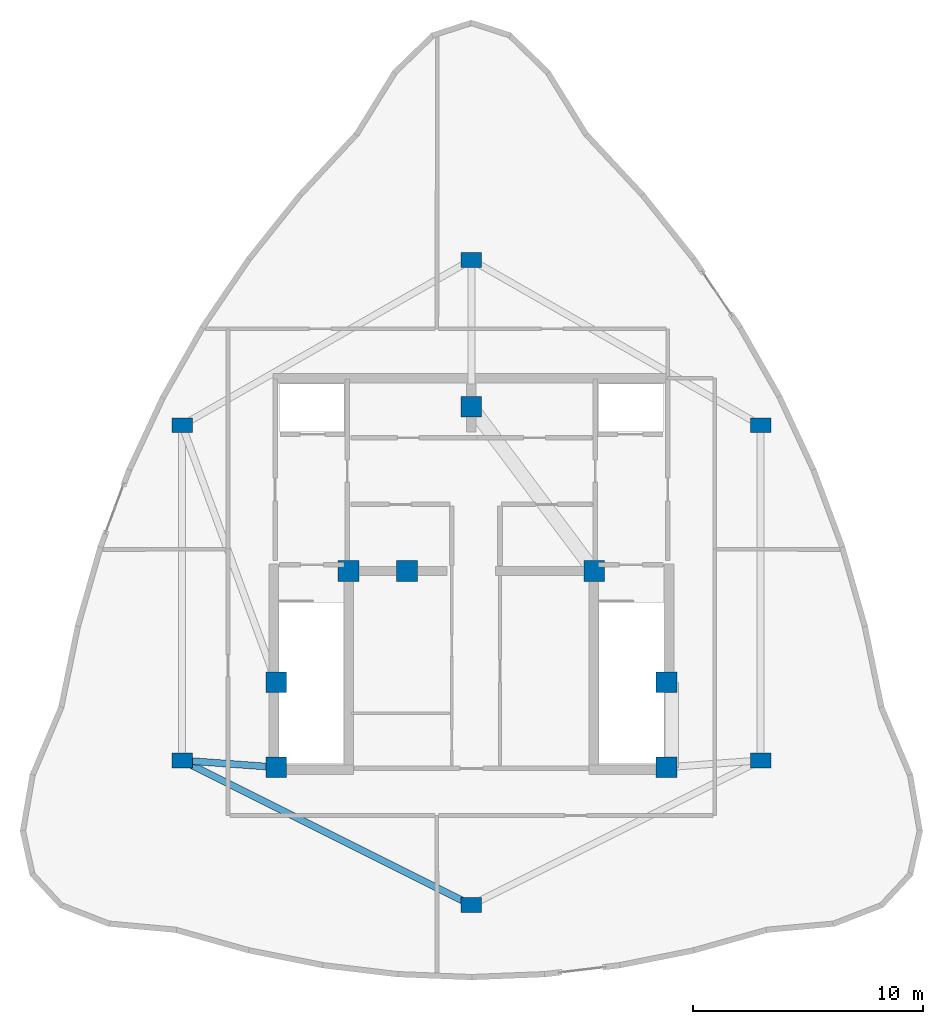
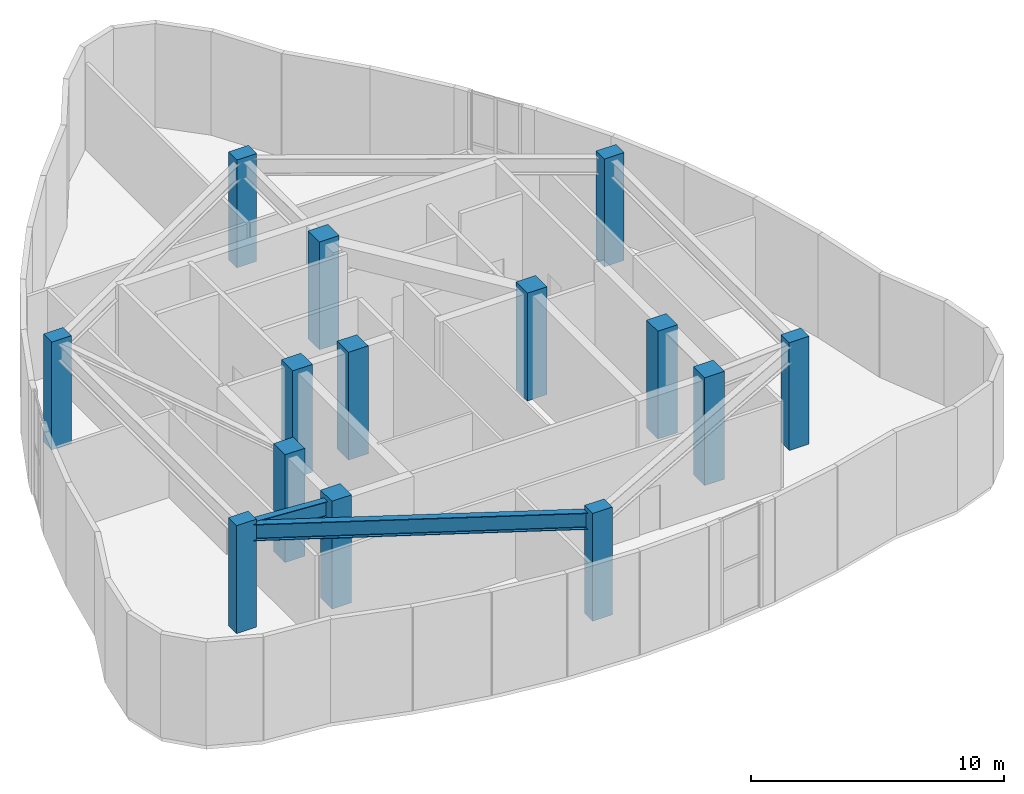
# One storey, part 1 of 12: 14 columns, 2 beams.
"""IFC4 building model written with IfcOpenShell, lengths in metres."""

from ifc_helpers import new_model, si_unit, direction, frame, origin, origin_2d, place, context, subcontext, project, spatial, rectangle, i_section, extrude, material, material_profile, profile_set, type_object, element, save


model = new_model("IFC4")

# Units and contexts
model_context = context("Model", 3, precision=1e-05, world=origin(), true_north=direction((0.0, 1.0)))
body_context = subcontext(model_context, "Body", "Model", "MODEL_VIEW")
ifc_project = project(units=[si_unit("LENGTHUNIT", "METRE"), si_unit("AREAUNIT", "SQUARE_METRE"), si_unit("VOLUMEUNIT", "CUBIC_METRE"), si_unit("PLANEANGLEUNIT", "RADIAN"), si_unit("MASSUNIT", "GRAM", prefix="KILO")], contexts=[model_context])

# Site, building, storey
site_placement = place(None, origin())
site = spatial("IfcSite", under=ifc_project, at=site_placement, CompositionType="ELEMENT")
building_placement = place(site_placement, origin())
building = spatial("IfcBuilding", under=site, at=building_placement, Name="Miruveldt Soraemaru", CompositionType="ELEMENT")
storey_placement = place(building_placement, frame((0.0, 0.0, 312.800048828125)))
storey = spatial("IfcBuildingStorey", under=building, at=storey_placement, Name="L82", CompositionType="ELEMENT", Elevation=312.800048828125)

# Columns
ifc_material_1 = material(Name="Concrete C50/60 (50 MPa)", Category="concrete")
ifc_material_profile_1 = material_profile(ifc_material_1, rectangle(XDim=0.89990234375, YDim=0.89990234375, at=origin_2d()), Name="Concrete C50/60 (50 MPa)", Category="concrete")
ifc_profile_set_1 = profile_set([ifc_material_profile_1], Name="Concrete C50/60 (50 MPa)")
column_type_1 = type_object("IfcColumnType", Name="COL-CORE-900", PredefinedType="COLUMN", material=ifc_profile_set_1)
for number, where, z_axis, x_axis, name in (
    (1, (35.5, 35.5, 0.0), (0.0, 0.0, 1.0), (1.0, 0.0, 0.0), "L82 Structural Column CC1"),
    (2, (38.64990234375, 44.050048828125, 0.0), (0.0, 0.0, 1.0), (1.0, 0.0, 0.0), "L82 Structural Column CC2"),
    (3, (52.5, 35.5, 0.0), (0.0, 0.0, 1.0), (1.0, 0.0, 0.0), "L82 Structural Column CC3"),
    (4, (52.5, 39.199951171875, 0.0), (0.0, 0.0, 1.0), (1.0, 0.0, 0.0), "L82 Structural Column CC4"),
    (5, (49.35009765625, 44.050048828125, 0.0), (0.0, 0.0, 1.0), (1.0, 0.0, 0.0), "L82 Structural Column CC5"),
    (6, (44.0, 51.199951171875, 0.0), (0.0, 0.0, 1.0), (1.0, 0.0, 0.0), "L82 Structural Column CC6"),
    (7, (35.5, 39.199951171875, 0.0), (0.0, 0.0, 1.0), (1.0, 0.0, 0.0), "L82 Structural Column CC7"),
    (8, (41.199951171875, 44.050048828125, 0.0), (0.0, 0.0, 1.0), (1.0, 0.0, 0.0), "L82 Structural Column CC8"),
):
    element("IfcColumn", number, at=place(storey_placement, frame(where, z_axis=z_axis, x_axis=x_axis)), inside=storey, type_object=column_type_1, Name=name, PredefinedType="COLUMN", context=body_context, shape_type="SweptSolid", body=[
        extrude(rectangle(XDim=0.89990234375, YDim=0.89990234375, at=origin_2d()), origin(), (0.0, 0.0, 1.0), 5.199951171875),
    ])
ifc_material_profile_2 = material_profile(ifc_material_1, rectangle(XDim=0.89990234375, YDim=0.64990234375, at=origin_2d()), Name="Concrete C50/60 (50 MPa)", Category="concrete")
ifc_profile_set_2 = profile_set([ifc_material_profile_2], Name="Concrete C50/60 (50 MPa)")
column_type_2 = type_object("IfcColumnType", Name="COL-TW-Z4", PredefinedType="COLUMN", material=ifc_profile_set_2)
for number, where, z_axis, x_axis, name in (
    (9, (44.0, 57.60009765625, 0.0), (0.0, 0.0, 1.0), (1.0, 0.0, 0.0), "L82 Structural Column IR01"),
    (10, (56.60009765625, 50.39990234375, 0.0), (0.0, 0.0, 1.0), (1.0, 0.0, 0.0), "L82 Structural Column IR02"),
    (11, (56.60009765625, 35.800048828125, 0.0), (0.0, 0.0, 1.0), (1.0, 0.0, 0.0), "L82 Structural Column IR03"),
    (12, (44.0, 29.5, 0.0), (0.0, 0.0, 1.0), (1.0, 0.0, 0.0), "L82 Structural Column IR04"),
    (13, (31.39990234375, 35.800048828125, 0.0), (0.0, 0.0, 1.0), (1.0, 0.0, 0.0), "L82 Structural Column IR05"),
    (14, (31.39990234375, 50.39990234375, 0.0), (0.0, 0.0, 1.0), (1.0, 0.0, 0.0), "L82 Structural Column IR06"),
):
    element("IfcColumn", number, at=place(storey_placement, frame(where, z_axis=z_axis, x_axis=x_axis)), inside=storey, type_object=column_type_2, Name=name, PredefinedType="COLUMN", context=body_context, shape_type="SweptSolid", body=[
        extrude(rectangle(XDim=0.89990234375, YDim=0.64990234375, at=origin_2d()), origin(), (0.0, 0.0, 1.0), 5.199951171875),
    ])

# Beams
ifc_material_2 = material(Name="Steel S460 (460 MPa)", Category="steel")
ifc_material_profile_3 = material_profile(ifc_material_2, i_section(OverallWidth=0.300048828125, OverallDepth=0.800048828125, WebThickness=0.013916015625, FlangeThickness=0.02587890625, FilletRadius=0.028076171875, at=origin_2d()), Name="Steel S460 (460 MPa)", Category="steel")
ifc_profile_set_3 = profile_set([ifc_material_profile_3], Name="Steel S460 (460 MPa)")
beam_type = type_object("IfcBeamType", Name="BM-ST-H800", PredefinedType="BEAM", material=ifc_profile_set_3)
beam_1_placement = place(storey_placement, frame((44.0, 29.5, 4.58984375), z_axis=(-0.894427191, 0.4472135955, 0.0), x_axis=(-0.4472135955, -0.894427191, 0.0)))
element("IfcBeam", 15, at=beam_1_placement, inside=storey, type_object=beam_type, Name="L82 Inner Ring Girder 4", PredefinedType="BEAM", context=body_context, shape_type="SweptSolid", body=[
    extrude(i_section(OverallWidth=0.300048828125, OverallDepth=0.800048828125, WebThickness=0.013916015625, FlangeThickness=0.02587890625, FilletRadius=0.028076171875, at=origin_2d()), origin(), (0.0, 0.0, 1.0), 14.08740234375),
])
beam_2_placement = place(storey_placement, frame((35.5, 35.5, 4.58984375), z_axis=(-0.997332985605, 0.072985723431, 0.0), x_axis=(-0.072985723431, -0.997332985605, 0.0)))
element("IfcBeam", 16, at=beam_2_placement, inside=storey, type_object=beam_type, Name="L82 Core-to-Inner Radial Girder 5", PredefinedType="BEAM", context=body_context, shape_type="SweptSolid", body=[
    extrude(i_section(OverallWidth=0.300048828125, OverallDepth=0.800048828125, WebThickness=0.013916015625, FlangeThickness=0.02587890625, FilletRadius=0.028076171875, at=origin_2d()), origin(), (0.0, 0.0, 1.0), 4.111083984375),
])

save(model, "model.ifc")
